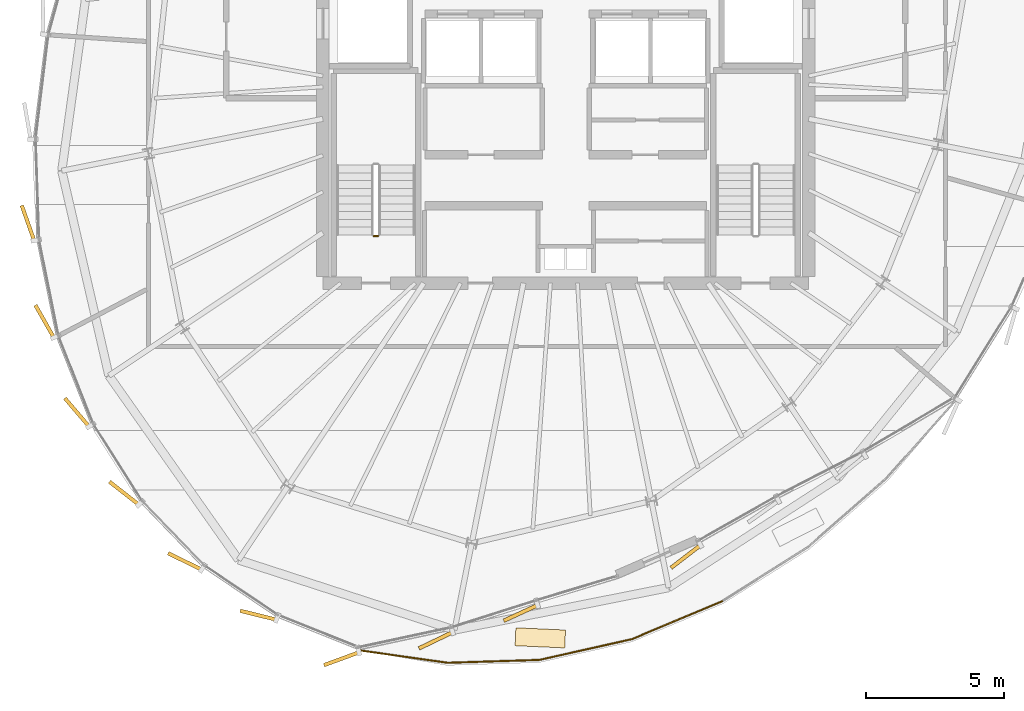
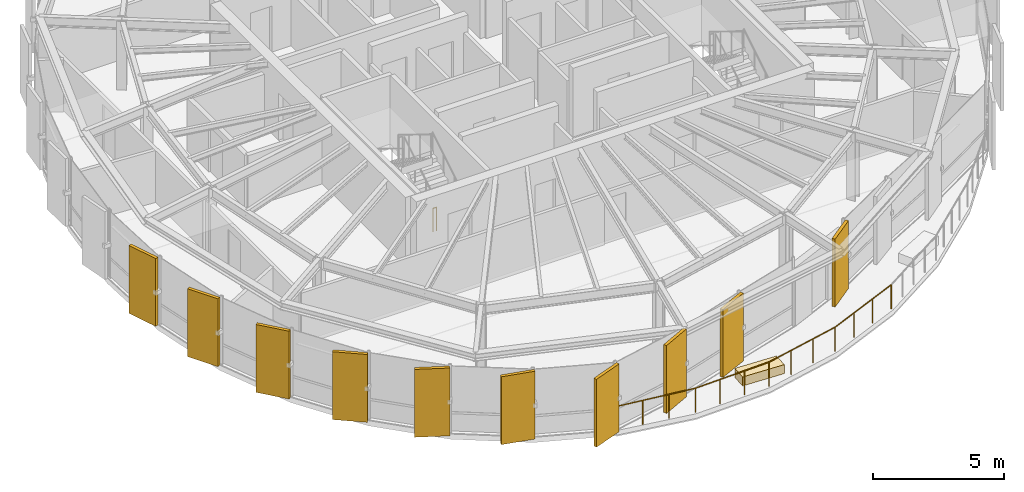
# One storey, part 28 of 31: 11 coverings, 5 railings.
"""IFC4 building model written with IfcOpenShell, lengths in metres."""

from ifc_helpers import new_model, si_unit, direction, frame, origin, origin_2d, place, context, subcontext, project, spatial, rectangle, circle, extrude, source, transform, mapped, material, layer, layer_set, type_object, element, save


model = new_model("IFC4")

# Units and contexts
model_context = context("Model", 3, precision=1e-05, world=origin(), true_north=direction((0.0, 1.0)))
body_context = subcontext(model_context, "Body", "Model", "MODEL_VIEW")
ifc_project = project(units=[si_unit("LENGTHUNIT", "METRE"), si_unit("AREAUNIT", "SQUARE_METRE"), si_unit("VOLUMEUNIT", "CUBIC_METRE"), si_unit("PLANEANGLEUNIT", "RADIAN"), si_unit("MASSUNIT", "GRAM", prefix="KILO"), si_unit("THERMODYNAMICTEMPERATUREUNIT", "KELVIN")], contexts=[model_context])

# Site, building, storey
site_placement = place(None, origin())
site = spatial("IfcSite", under=ifc_project, at=site_placement, CompositionType="ELEMENT")
building_placement = place(site_placement, origin())
building = spatial("IfcBuilding", under=site, at=building_placement, Name="Kethvar Cultural Tower", CompositionType="ELEMENT")
storey_placement = place(building_placement, frame((0.0, 0.0, 283.60009765625)))
storey = spatial("IfcBuildingStorey", under=building, at=storey_placement, Name="L75", CompositionType="ELEMENT", Elevation=283.60009765625)

# Railings
ifc_material_1 = material(Name="Steel S355J2", Category="steel")
railing_type_1 = type_object("IfcRailingType", Name="RL-EXT-GUARD-1150", PredefinedType="BALUSTRADE", material=ifc_material_1)
railing_1_placement = place(storey_placement, frame((39.2919921875, 6.802001953125, 0.0)))
element("IfcRailing", 1, at=railing_1_placement, inside=storey, type_object=railing_type_1, Name="L75 Spiralling Terrace Balustrade 01", PredefinedType="BALUSTRADE", context=body_context, shape_type="SweptSolid", body=[
    extrude(circle(Radius=0.02392578125, at=origin_2d()), frame((0.0, 0.0, 1.1259765625), z_axis=(0.990168563423, -0.139879290853, 0.0), x_axis=(0.139879290853, 0.990168563423, 0.0)), (0.0, 0.0, 1.0), 3.258544921875),
    extrude(circle(Radius=0.02099609375, at=origin_2d()), origin(), (0.0, 0.0, 1.0), 1.101806640625),
    extrude(circle(Radius=0.02099609375, at=origin_2d()), frame((1.075439453125, -0.15185546875, 0.0)), (0.0, 0.0, 1.0), 1.101806640625),
    extrude(circle(Radius=0.02099609375, at=origin_2d()), frame((2.151123046875, -0.303955078125, 0.0)), (0.0, 0.0, 1.0), 1.101806640625),
    extrude(circle(Radius=0.02099609375, at=origin_2d()), frame((3.2265625, -0.455810546875, 0.0)), (0.0, 0.0, 1.0), 1.101806640625),
])
railing_2_placement = place(storey_placement, frame((42.5185546875, 6.34619140625, 0.0)))
element("IfcRailing", 2, at=railing_2_placement, inside=storey, type_object=railing_type_1, Name="L75 Spiralling Terrace Balustrade 02", PredefinedType="BALUSTRADE", context=body_context, shape_type="SweptSolid", body=[
    extrude(circle(Radius=0.02392578125, at=origin_2d()), frame((0.0, 0.0, 1.1259765625), z_axis=(0.999519570774, 0.030993993597, 0.0), x_axis=(-0.030993993597, 0.999519570774, 0.0)), (0.0, 0.0, 1.0), 3.32421875),
    extrude(circle(Radius=0.02099609375, at=origin_2d()), origin(), (0.0, 0.0, 1.0), 1.101806640625),
    extrude(circle(Radius=0.02099609375, at=origin_2d()), frame((1.107421875, 0.034423828125, 0.0)), (0.0, 0.0, 1.0), 1.101806640625),
    extrude(circle(Radius=0.02099609375, at=origin_2d()), frame((2.215087890625, 0.068603515625, 0.0)), (0.0, 0.0, 1.0), 1.101806640625),
    extrude(circle(Radius=0.02099609375, at=origin_2d()), frame((3.322509765625, 0.10302734375, 0.0)), (0.0, 0.0, 1.0), 1.101806640625),
])
railing_3_placement = place(storey_placement, frame((45.841064453125, 6.44921875, 0.0)))
element("IfcRailing", 3, at=railing_3_placement, inside=storey, type_object=railing_type_1, Name="L75 Spiralling Terrace Balustrade 03", PredefinedType="BALUSTRADE", context=body_context, shape_type="SweptSolid", body=[
    extrude(circle(Radius=0.02392578125, at=origin_2d()), frame((0.0, 0.0, 1.1259765625), z_axis=(0.975733303246, 0.218962373333, 0.0), x_axis=(-0.218962373333, 0.975733303246, 0.0)), (0.0, 0.0, 1.0), 3.43408203125),
    extrude(circle(Radius=0.02099609375, at=origin_2d()), origin(), (0.0, 0.0, 1.0), 1.101806640625),
    extrude(circle(Radius=0.02099609375, at=origin_2d()), frame((1.116943359375, 0.250732421875, 0.0)), (0.0, 0.0, 1.0), 1.101806640625),
    extrude(circle(Radius=0.02099609375, at=origin_2d()), frame((2.23388671875, 0.501220703125, 0.0)), (0.0, 0.0, 1.0), 1.101806640625),
    extrude(circle(Radius=0.02099609375, at=origin_2d()), frame((3.350830078125, 0.751953125, 0.0)), (0.0, 0.0, 1.0), 1.101806640625),
])
railing_4_placement = place(storey_placement, frame((49.19189453125, 7.201171875, 0.0)))
element("IfcRailing", 4, at=railing_4_placement, inside=storey, type_object=railing_type_1, Name="L75 Spiralling Terrace Balustrade 04", PredefinedType="BALUSTRADE", context=body_context, shape_type="SweptSolid", body=[
    extrude(circle(Radius=0.02392578125, at=origin_2d()), frame((0.0, 0.0, 1.1259765625), z_axis=(0.921791723762, 0.38768546272, 0.0), x_axis=(-0.38768546272, 0.921791723762, 0.0)), (0.0, 0.0, 1.0), 3.554931640625),
    extrude(circle(Radius=0.02099609375, at=origin_2d()), origin(), (0.0, 0.0, 1.0), 1.101806640625),
    extrude(circle(Radius=0.02099609375, at=origin_2d()), frame((1.09228515625, 0.45947265625, 0.0)), (0.0, 0.0, 1.0), 1.101806640625),
    extrude(circle(Radius=0.02099609375, at=origin_2d()), frame((2.1845703125, 0.918701171875, 0.0)), (0.0, 0.0, 1.0), 1.101806640625),
    extrude(circle(Radius=0.02099609375, at=origin_2d()), frame((3.27685546875, 1.378173828125, 0.0)), (0.0, 0.0, 1.0), 1.101806640625),
])
railing_type_2 = type_object("IfcRailingType", Name="RL-STAIR-GUARD", PredefinedType="BALUSTRADE", material=ifc_material_1)
railing_5_placement = place(storey_placement, frame((40.0, 21.800048828125, 0.0)))
element("IfcRailing", 5, at=railing_5_placement, inside=storey, type_object=railing_type_2, Name="L75 ST-01 stair guard 4", PredefinedType="BALUSTRADE", context=body_context, shape_type="SweptSolid", body=[
    extrude(circle(Radius=0.02392578125, at=origin_2d()), frame((0.0, 0.0, 1.09619140625), z_axis=(-1.0, 0.0, 0.0), x_axis=(0.0, -1.0, 0.0)), (0.0, 0.0, 1.0), 0.159912109375),
    extrude(circle(Radius=0.02099609375, at=origin_2d()), origin(), (0.0, 0.0, 1.0), 1.072021484375),
    extrude(circle(Radius=0.02099609375, at=origin_2d()), frame((-0.159912109375, 0.0, 0.0)), (0.0, 0.0, 1.0), 1.072021484375),
])

# Coverings
ifc_material_2 = material(Name="Extruded Architectural Terracotta", Category="masonry")
ifc_layer_1 = layer(ifc_material_2, 0.419921875, Name="Extruded Architectural Terracotta", Category="masonry")
ifc_layer_set_1 = layer_set([ifc_layer_1], Name="Extruded Architectural Terracotta (420 mm)")
covering_type_1 = type_object("IfcCoveringType", Name="Terracotta Terrace Planter PLANTER-01", PredefinedType="USERDEFINED", material=ifc_layer_set_1)
shared_shape_1 = source(origin(), body_context, "Body", "SweptSolid", [
    extrude(rectangle(XDim=1.800048828125, YDim=0.64990234375, at=origin_2d()), origin(), (0.0, 0.0, 1.0), 0.419921875),
])
covering_placement = place(storey_placement, frame((45.876953125, 7.248291015625, 0.0), z_axis=(0.0, 0.0, 1.0), x_axis=(0.998994184858, -0.044839922168, 0.0)))
element("IfcCovering", 6, at=covering_placement, inside=storey, type_object=covering_type_1, Name="L75 Sky Terrace Planter Box A", ObjectType="PLANTER", PredefinedType="USERDEFINED", context=body_context, shape_type="MappedRepresentation", body=[
    mapped(shared_shape_1, transform((0.0, 0.0, 0.0), scale=1.0)),
])
ifc_layer_2 = layer(ifc_material_2, 0.135009765625, Name="Extruded Architectural Terracotta", Category="masonry")
ifc_layer_set_2 = layer_set([ifc_layer_2], Name="Extruded Architectural Terracotta (135 mm)")
covering_type_2 = type_object("IfcCoveringType", Name="Terracotta Facade Fin FIN-03", PredefinedType="CLADDING", material=ifc_layer_set_2)
shared_shape_2 = source(origin(), body_context, "Body", "SweptSolid", [
    extrude(rectangle(XDim=1.35009765625, YDim=0.135009765625, at=origin_2d()), origin(), (0.0, 0.0, 1.0), 3.169921875),
])
for number, where, z_axis, x_axis, name in (
    (7, (27.318359375, 22.275146484375, 0.02001953125), (0.0, 0.0, 1.0), (-0.332819544523, 0.942990535893, 0.0), "L75 Vertical Terracotta Fin 3.2"),
    (8, (27.92236328125, 18.711181640625, 0.02001953125), (0.0, 0.0, 1.0), (-0.493941866584, 0.869494929505, 0.0), "L75 Vertical Terracotta Fin 3.3"),
    (9, (29.094482421875, 15.41650390625, 0.02001953125), (0.0, 0.0, 1.0), (-0.649049811691, 0.760745911553, 0.0), "L75 Vertical Terracotta Fin 3.4"),
    (10, (30.802978515625, 12.48876953125, 0.02001953125), (0.0, 0.0, 1.0), (-0.788010753607, 0.615661475326, 0.0), "L75 Vertical Terracotta Fin 3.5"),
    (11, (33.001708984375, 10.017333984375, 0.02001953125), (0.0, 0.0, 1.0), (-0.898870542808, 0.438214270959, 0.0), "L75 Vertical Terracotta Fin 3.6"),
    (12, (35.6611328125, 8.067626953125, 0.02001953125), (0.0, 0.0, 1.0), (-0.971092633177, 0.238702948851, 0.0), "L75 Vertical Terracotta Fin 4.1"),
    (13, (38.6748046875, 6.49169921875, 0.02001953125), (0.0, 0.0, 1.0), (-0.93903425786, -0.343823592217, 0.0), "L75 Vertical Terracotta Fin 4.2"),
    (14, (42.09228515625, 7.159912109375, 0.02001953125), (0.0, 0.0, 1.0), (-0.90130396116, -0.433187222339, 0.0), "L75 Vertical Terracotta Fin 4.3"),
    (15, (45.167236328125, 8.150146484375, 0.02001953125), (0.0, 0.0, 1.0), (-0.907996978683, -0.418976713794, 0.0), "L75 Vertical Terracotta Fin 4.4"),
    (16, (51.148681640625, 10.197021484375, 0.02001953125), (0.0, 0.0, 1.0), (-0.792289643355, -0.610145163901, 0.0), "L75 Vertical Terracotta Fin 5.1"),
):
    element("IfcCovering", number, at=place(storey_placement, frame(where, z_axis=z_axis, x_axis=x_axis)), inside=storey, type_object=covering_type_2, Name=name, PredefinedType="CLADDING", context=body_context, shape_type="MappedRepresentation", body=[
        mapped(shared_shape_2, transform((0.0, 0.0, 0.0), scale=1.0)),
    ])

save(model, "model.ifc")
